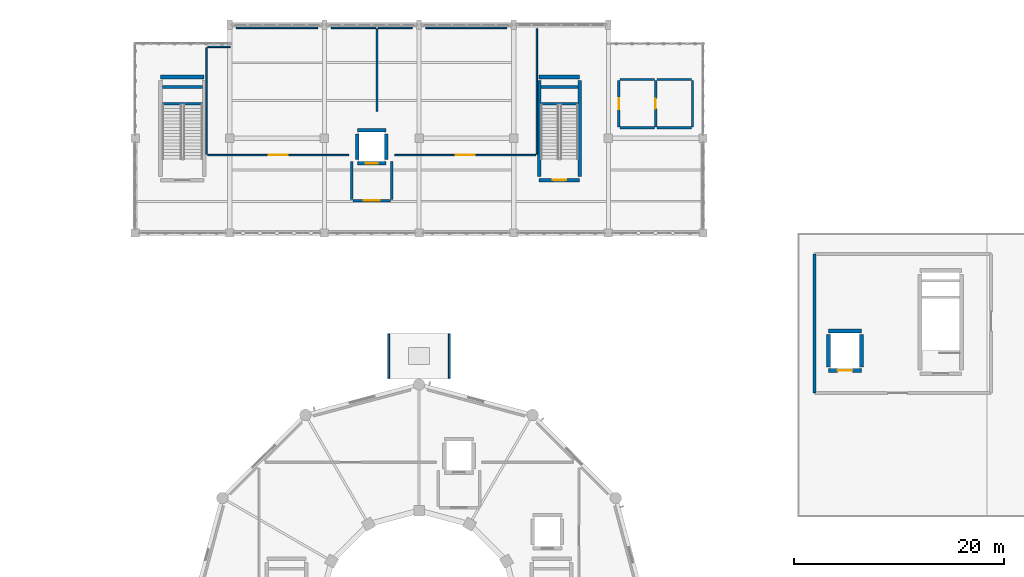
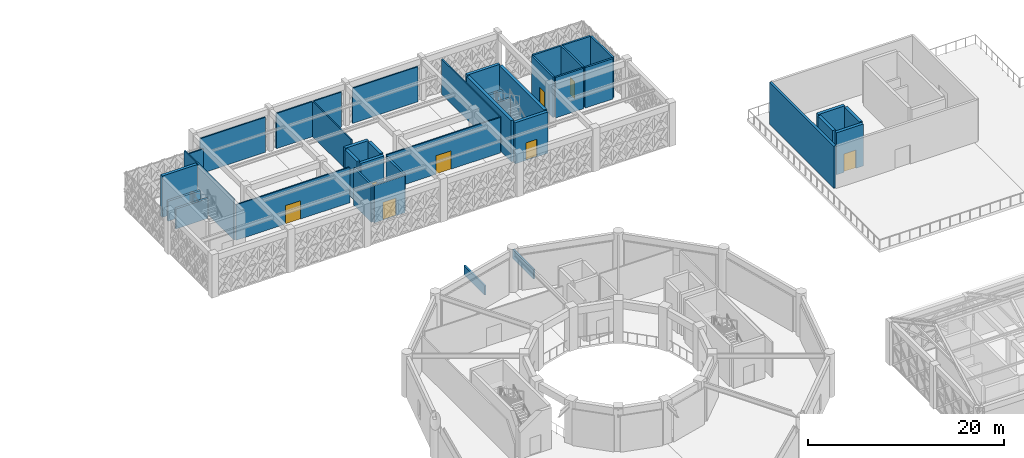
# One storey, part 73 of 86: 40 walls, 8 doors, 8 openings.
"""IFC4 building model written with IfcOpenShell, lengths in metres."""

from ifc_helpers import new_model, si_unit, direction, frame, frame_2d, origin, place, context, subcontext, project, spatial, rectangle, extrude, material, layer, layer_set, type_object, element, fill, save


model = new_model("IFC4")

# Units and contexts
model_context = context("Model", 3, precision=1e-05, world=origin(), true_north=direction((0.0, 1.0)))
body_context = subcontext(model_context, "Body", "Model", "MODEL_VIEW")
ifc_project = project(units=[si_unit("LENGTHUNIT", "METRE"), si_unit("AREAUNIT", "SQUARE_METRE"), si_unit("VOLUMEUNIT", "CUBIC_METRE"), si_unit("PLANEANGLEUNIT", "RADIAN"), si_unit("MASSUNIT", "GRAM", prefix="KILO")], contexts=[model_context])

# Site, building, storey
site_placement = place(None, origin())
site = spatial("IfcSite", under=ifc_project, at=site_placement, CompositionType="ELEMENT")
building_placement = place(site_placement, origin())
building = spatial("IfcBuilding", under=site, at=building_placement, Name="Haizhuo Lancet Aquarium", CompositionType="ELEMENT")
storey_placement = place(building_placement, frame((0.0, 0.0, 16.199951171875)))
storey = spatial("IfcBuildingStorey", under=building, at=storey_placement, Name="L03", CompositionType="ELEMENT", Elevation=16.199951171875)

# Walls
ifc_material_1 = material(Name="Shandong Grey Limestone Ashlar", Category="masonry")
ifc_layer_1 = layer(ifc_material_1, 0.280029296875)
ifc_layer_set_1 = layer_set([ifc_layer_1], Name="Shandong Grey Limestone Ashlar")
wall_type_1 = type_object("IfcWallType", Name="EWL-ASH-280", PredefinedType="SOLIDWALL", material=ifc_layer_set_1)
wall_1_placement = place(storey_placement, frame((37.60009765625, 20.800048828125, 0.0), z_axis=(0.0, 0.0, 1.0), x_axis=(0.0, 1.0, 0.0)))
element("IfcWall", 1, at=wall_1_placement, inside=storey, type_object=wall_type_1, Name="L03 V7 roof garden pavilion wall 4", PredefinedType="SOLIDWALL", context=body_context, shape_type="SweptSolid", body=[
    extrude(rectangle(XDim=13.199951171875, YDim=0.280029296875, at=frame_2d((6.60009765625, 0.0))), origin(), (0.0, 0.0, 1.0), 5.25),
])
ifc_layer_2 = layer(ifc_material_1, 0.18994140625)
ifc_layer_set_2 = layer_set([ifc_layer_2], Name="Shandong Grey Limestone Ashlar")
wall_type_2 = type_object("IfcWallType", Name="EWL-PAR-190", PredefinedType="PARAPET", material=ifc_layer_set_2)
for number, where, z_axis, x_axis, name in (
    (2, (-2.8798828125, 22.169921875, 0.0), (0.0, 0.0, 1.0), (0.0, 1.0, 0.0), "Sky-bridge roof parapet SB-03 W"),
    (3, (2.8798828125, 22.169921875, 0.0), (0.0, 0.0, 1.0), (0.0, 1.0, 0.0), "Sky-bridge roof parapet SB-03 E"),
):
    element("IfcWall", number, at=place(storey_placement, frame(where, z_axis=z_axis, x_axis=x_axis)), inside=storey, type_object=wall_type_2, Name=name, PredefinedType="PARAPET", context=body_context, shape_type="SweptSolid", body=[
        extrude(rectangle(XDim=4.260009765625, YDim=0.18994140625, at=frame_2d((2.1298828125, 0.0))), origin(), (0.0, 0.0, 1.0), 1.150146484375),
    ])

# Wall, opening, door
ifc_material_2 = material(Name="Concrete C40/50", Category="concrete")
ifc_layer_3 = layer(ifc_material_2, 0.239990234375)
ifc_layer_set_3 = layer_set([ifc_layer_3], Name="Concrete C40/50")
wall_type_3 = type_object("IfcWallType", Name="IWL-FIRE-240", PredefinedType="PARTITIONING", material=ifc_layer_set_3)
wall_2_placement = place(storey_placement, frame((-6.300048828125, 39.080078125, 0.0), z_axis=(0.0, 0.0, 1.0), x_axis=(1.0, 0.0, 0.0)))
wall_2 = element("IfcWall", 4, at=wall_2_placement, inside=storey, type_object=wall_type_3, Name="L03 LF-02 protected lift lobby firewall S", PredefinedType="PARTITIONING", context=body_context, shape_type="SweptSolid", body=[
    extrude(rectangle(XDim=3.60009765625, YDim=0.239990234375, at=frame_2d((1.800048828125, 0.0))), origin(), (0.0, 0.0, 1.0), 4.635009765625),
])
opening_1_placement = place(wall_2_placement, frame((1.050048828125, 0.0, 0.0)))
opening_1 = element("IfcOpeningElement", 5, at=opening_1_placement, cuts=wall_2, Name="Opening FD-03", PredefinedType="OPENING", context=body_context, shape_type="SweptSolid", body=[
    extrude(rectangle(XDim=1.5, YDim=2.199951171875, at=frame_2d((0.75, 1.10009765625))), frame((0.0, 0.1298828125, 0.0), z_axis=(0.0, -1.0, 0.0), x_axis=(1.0, 0.0, 0.0)), (0.0, 0.0, 1.0), 0.25999),
])
ifc_material_3 = material(Name="Steel S355", Category="steel")
door_type_1 = type_object("IfcDoorType", Name="IDR-FFL-1500x2200", OperationType="NOTDEFINED", PredefinedType="DOOR", material=ifc_material_3)
door_1_placement = place(opening_1_placement, origin())
door_1 = element("IfcDoor", 6, at=door_1_placement, inside=storey, type_object=door_type_1, Name="L03 LF-02 protected lift lobby door", OperationType="SINGLE_SWING_RIGHT", OverallHeight=2.199951171875, OverallWidth=1.5, PredefinedType="DOOR", context=body_context, shape_type="SweptSolid", body=[
    extrude(rectangle(XDim=1.5, YDim=2.199951171875, at=frame_2d((0.75, 1.10009765625))), frame((0.0, 0.02490234375, 0.0), z_axis=(0.0, -1.0, 0.0), x_axis=(1.0, 0.0, 0.0)), (0.0, 0.0, 1.0), 0.050048828125),
])
fill(opening_1, door_1)

# Walls
for number, where, z_axis, x_axis, name in (
    (7, (-6.419921875, 39.199951171875, 0.0), (0.0, 0.0, 1.0), (0.0, 1.0, 0.0), "L03 LF-02 protected lift lobby firewall W"),
    (8, (-2.580078125, 39.199951171875, 0.0), (0.0, 0.0, 1.0), (0.0, 1.0, 0.0), "L03 LF-02 protected lift lobby firewall E"),
):
    element("IfcWall", number, at=place(storey_placement, frame(where, z_axis=z_axis, x_axis=x_axis)), inside=storey, type_object=wall_type_3, Name=name, PredefinedType="PARTITIONING", context=body_context, shape_type="SweptSolid", body=[
        extrude(rectangle(XDim=3.60009765625, YDim=0.239990234375, at=frame_2d((1.800048828125, 0.0))), origin(), (0.0, 0.0, 1.0), 4.635009765625),
    ])

# Wall, opening, door
ifc_layer_4 = layer(ifc_material_2, 0.219970703125)
ifc_layer_set_4 = layer_set([ifc_layer_4], Name="Concrete C40/50")
wall_type_4 = type_object("IfcWallType", Name="IWL-PLB-220", PredefinedType="PLUMBINGWALL", material=ifc_layer_set_4)
wall_3_placement = place(storey_placement, frame((19.0, 50.5, 0.0), z_axis=(0.0, 0.0, 1.0), x_axis=(0.0, -1.0, 0.0)))
wall_3 = element("IfcWall", 9, at=wall_3_placement, inside=storey, type_object=wall_type_4, Name="L03 partition wall 443", PredefinedType="PLUMBINGWALL", context=body_context, shape_type="SweptSolid", body=[
    extrude(rectangle(XDim=4.39990234375, YDim=0.219970703125, at=frame_2d((2.199951171875, 0.0))), origin(), (0.0, 0.0, 1.0), 5.050048828125),
])
opening_2_placement = place(wall_3_placement, frame((1.675048828125, 0.0, 0.0)))
opening_2 = element("IfcOpeningElement", 10, at=opening_2_placement, cuts=wall_3, Name="Opening D-08", PredefinedType="OPENING", context=body_context, shape_type="SweptSolid", body=[
    extrude(rectangle(XDim=1.050048828125, YDim=2.14990234375, at=frame_2d((0.52490234375, 1.074951171875))), frame((0.0, 0.119873046875, 0.0), z_axis=(0.0, -1.0, 0.0), x_axis=(1.0, 0.0, 0.0)), (0.0, 0.0, 1.0), 0.239971),
])
ifc_material_4 = material(Name="Aluminium 6063-T6", Category="aluminium")
door_type_2 = type_object("IfcDoorType", Name="IDR-AWC-1050x2150", OperationType="NOTDEFINED", PredefinedType="DOOR", material=ifc_material_4)
door_2_placement = place(opening_2_placement, origin())
door_2 = element("IfcDoor", 11, at=door_2_placement, inside=storey, type_object=door_type_2, Name="L03 Third Floor Accessible WC door", OperationType="SINGLE_SWING_RIGHT", OverallHeight=2.14990234375, OverallWidth=1.050048828125, PredefinedType="DOOR", context=body_context, shape_type="SweptSolid", body=[
    extrude(rectangle(XDim=1.050048828125, YDim=2.14990234375, at=frame_2d((0.52490234375, 1.074951171875))), frame((0.0, 0.02490234375, 0.0), z_axis=(0.0, -1.0, 0.0), x_axis=(1.0, 0.0, 0.0)), (0.0, 0.0, 1.0), 0.050048828125),
])
fill(opening_2, door_2)

# Wall
wall_4_placement = place(storey_placement, frame((19.10009765625, 46.0, 0.0), z_axis=(0.0, 0.0, 1.0), x_axis=(1.0, 0.0, 0.0)))
element("IfcWall", 12, at=wall_4_placement, inside=storey, type_object=wall_type_4, Name="L03 partition wall 444", PredefinedType="PLUMBINGWALL", context=body_context, shape_type="SweptSolid", body=[
    extrude(rectangle(XDim=3.2998046875, YDim=0.219970703125, at=frame_2d((1.64990234375, 0.0))), origin(), (0.0, 0.0, 1.0), 5.050048828125),
])

# Wall, opening, door
wall_5_placement = place(storey_placement, frame((22.5, 46.10009765625, 0.0), z_axis=(0.0, 0.0, 1.0), x_axis=(0.0, 1.0, 0.0)))
wall_5 = element("IfcWall", 13, at=wall_5_placement, inside=storey, type_object=wall_type_4, Name="L03 partition wall 445", PredefinedType="PLUMBINGWALL", context=body_context, shape_type="SweptSolid", body=[
    extrude(rectangle(XDim=4.39990234375, YDim=0.219970703125, at=frame_2d((2.199951171875, 0.0))), origin(), (0.0, 0.0, 1.0), 5.050048828125),
])
opening_3_placement = place(wall_5_placement, frame((1.72509765625, 0.0, 0.0)))
opening_3 = element("IfcOpeningElement", 14, at=opening_3_placement, cuts=wall_5, Name="Opening D-07", PredefinedType="OPENING", context=body_context, shape_type="SweptSolid", body=[
    extrude(rectangle(XDim=0.949951171875, YDim=2.14990234375, at=frame_2d((0.47509765625, 1.074951171875))), frame((0.0, 0.119873046875, 0.0), z_axis=(0.0, -1.0, 0.0), x_axis=(1.0, 0.0, 0.0)), (0.0, 0.0, 1.0), 0.239971),
])
door_type_3 = type_object("IfcDoorType", Name="IDR-WC-950x2150", OperationType="NOTDEFINED", PredefinedType="DOOR", material=ifc_material_4)
door_3_placement = place(opening_3_placement, origin())
door_3 = element("IfcDoor", 15, at=door_3_placement, inside=storey, type_object=door_type_3, Name="L03 Third Floor Public WC door", OperationType="SINGLE_SWING_LEFT", OverallHeight=2.14990234375, OverallWidth=0.949951171875, PredefinedType="DOOR", context=body_context, shape_type="SweptSolid", body=[
    extrude(rectangle(XDim=0.949951171875, YDim=2.14990234375, at=frame_2d((0.47509765625, 1.074951171875))), frame((0.0, 0.02490234375, 0.0), z_axis=(0.0, -1.0, 0.0), x_axis=(1.0, 0.0, 0.0)), (0.0, 0.0, 1.0), 0.050048828125),
])
fill(opening_3, door_3)

# Walls
for number, where, z_axis, x_axis, name in (
    (16, (22.39990234375, 50.60009765625, 0.0), (0.0, 0.0, 1.0), (-1.0, 0.0, 0.0), "L03 partition wall 446"),
    (17, (22.60009765625, 46.0, 0.0), (0.0, 0.0, 1.0), (1.0, 0.0, 0.0), "L03 partition wall 447"),
):
    element("IfcWall", number, at=place(storey_placement, frame(where, z_axis=z_axis, x_axis=x_axis)), inside=storey, type_object=wall_type_4, Name=name, PredefinedType="PLUMBINGWALL", context=body_context, shape_type="SweptSolid", body=[
        extrude(rectangle(XDim=3.2998046875, YDim=0.219970703125, at=frame_2d((1.64990234375, 0.0))), origin(), (0.0, 0.0, 1.0), 5.050048828125),
    ])
wall_6_placement = place(storey_placement, frame((26.0, 46.10009765625, 0.0), z_axis=(0.0, 0.0, 1.0), x_axis=(0.0, 1.0, 0.0)))
element("IfcWall", 18, at=wall_6_placement, inside=storey, type_object=wall_type_4, Name="L03 partition wall 448", PredefinedType="PLUMBINGWALL", context=body_context, shape_type="SweptSolid", body=[
    extrude(rectangle(XDim=4.39990234375, YDim=0.219970703125, at=frame_2d((2.199951171875, 0.0))), origin(), (0.0, 0.0, 1.0), 5.050048828125),
])
wall_7_placement = place(storey_placement, frame((25.89990234375, 50.60009765625, 0.0), z_axis=(0.0, 0.0, 1.0), x_axis=(-1.0, 0.0, 0.0)))
element("IfcWall", 19, at=wall_7_placement, inside=storey, type_object=wall_type_4, Name="L03 partition wall 449", PredefinedType="PLUMBINGWALL", context=body_context, shape_type="SweptSolid", body=[
    extrude(rectangle(XDim=3.2998046875, YDim=0.219970703125, at=frame_2d((1.64990234375, 0.0))), origin(), (0.0, 0.0, 1.0), 5.050048828125),
])
ifc_material_5 = material(Name="Gypsum Fireboard Partition")
ifc_layer_5 = layer(ifc_material_5, 0.14990234375)
ifc_layer_set_5 = layer_set([ifc_layer_5], Name="Gypsum Fireboard Partition")
wall_type_5 = type_object("IfcWallType", Name="IWL-STD-150", PredefinedType="PARTITIONING", material=ifc_layer_set_5)
wall_8_placement = place(storey_placement, frame((-20.197998046875, 53.6201171875, 0.0), z_axis=(0.0, 0.0, 1.0), x_axis=(-0.000192994303, -0.999999981377, 0.0)))
element("IfcWall", 20, at=wall_8_placement, inside=storey, type_object=wall_type_5, Name="L03 partition wall 491", PredefinedType="PARTITIONING", context=body_context, shape_type="SweptSolid", body=[
    extrude(rectangle(XDim=10.1201171875, YDim=0.14990234375, at=frame_2d((5.06005859375, 0.0))), origin(), (0.0, 0.0, 1.0), 5.050048828125),
])

# Wall, opening, door
wall_9_placement = place(storey_placement, frame((-20.10009765625, 43.39990234375, 0.0), z_axis=(0.0, 0.0, 1.0), x_axis=(0.999999986606, 0.000163669095, 0.0)))
wall_9 = element("IfcWall", 21, at=wall_9_placement, inside=storey, type_object=wall_type_5, Name="L03 partition wall 492", PredefinedType="PARTITIONING", context=body_context, shape_type="SweptSolid", body=[
    extrude(rectangle(XDim=13.425048828125, YDim=0.14990234375, at=frame_2d((6.71240234375, 0.0))), origin(), (0.0, 0.0, 1.0), 4.43505859375),
])
opening_4_placement = place(wall_9_placement, frame((5.81298828125, 0.0, 0.0)))
opening_4 = element("IfcOpeningElement", 22, at=opening_4_placement, cuts=wall_9, Name="Opening D-02", PredefinedType="OPENING", context=body_context, shape_type="SweptSolid", body=[
    extrude(rectangle(XDim=1.800048828125, YDim=2.300048828125, at=frame_2d((0.89990234375, 1.14990234375))), frame((0.0, 0.0849609375, 0.0), z_axis=(0.0, -1.0, 0.0), x_axis=(1.0, 0.0, 0.0)), (0.0, 0.0, 1.0), 0.169902),
])
door_type_4 = type_object("IfcDoorType", Name="IDR-GAL-1800x2300", OperationType="NOTDEFINED", PredefinedType="DOOR", material=ifc_material_4)
door_4_placement = place(opening_4_placement, origin())
door_4 = element("IfcDoor", 23, at=door_4_placement, inside=storey, type_object=door_type_4, Name="L03 Abyssal Bioluminescent Exhibit Gallery door", OperationType="DOUBLE_DOOR_SINGLE_SWING", OverallHeight=2.300048828125, OverallWidth=1.800048828125, PredefinedType="DOOR", context=body_context, shape_type="SweptSolid", body=[
    extrude(rectangle(XDim=1.800048828125, YDim=2.300048828125, at=frame_2d((0.89990234375, 1.14990234375))), frame((0.0, 0.02490234375, 0.0), z_axis=(0.0, -1.0, 0.0), x_axis=(1.0, 0.0, 0.0)), (0.0, 0.0, 1.0), 0.050048828125),
])
fill(opening_4, door_4)

# Walls
wall_10_placement = place(storey_placement, frame((-4.0, 47.574951171875, 0.0), z_axis=(0.0, 0.0, 1.0), x_axis=(0.0, 1.0, 0.0)))
element("IfcWall", 24, at=wall_10_placement, inside=storey, type_object=wall_type_5, Name="L03 partition wall 493", PredefinedType="PARTITIONING", context=body_context, shape_type="SweptSolid", body=[
    extrude(rectangle(XDim=7.824951171875, YDim=0.14990234375, at=frame_2d((3.91259765625, 0.0))), origin(), (0.0, 0.0, 1.0), 4.385009765625),
])
wall_11_placement = place(storey_placement, frame((-4.10009765625, 55.5, 0.0), z_axis=(0.0, 0.0, 1.0), x_axis=(-1.0, 0.0, 0.0)))
element("IfcWall", 25, at=wall_11_placement, inside=storey, type_object=wall_type_5, Name="L03 partition wall 494", PredefinedType="PARTITIONING", context=body_context, shape_type="SweptSolid", body=[
    extrude(rectangle(XDim=4.25, YDim=0.14990234375, at=frame_2d((2.125, 0.0))), origin(), (0.0, 0.0, 1.0), 4.385009765625),
])
wall_12_placement = place(storey_placement, frame((-9.64990234375, 55.5, 0.0), z_axis=(0.0, 0.0, 1.0), x_axis=(-1.0, 0.0, 0.0)))
element("IfcWall", 26, at=wall_12_placement, inside=storey, type_object=wall_type_5, Name="L03 partition wall 495", PredefinedType="PARTITIONING", context=body_context, shape_type="SweptSolid", body=[
    extrude(rectangle(XDim=7.710205078125, YDim=0.14990234375, at=frame_2d((3.85498046875, 0.0))), origin(), (0.0, 0.0, 1.0), 4.385009765625),
])
wall_13_placement = place(storey_placement, frame((-17.972900390625, 53.700927734375, 0.0), z_axis=(0.0, 0.0, 1.0), x_axis=(-0.999999894621, -0.000459084079, 0.0)))
element("IfcWall", 27, at=wall_13_placement, inside=storey, type_object=wall_type_5, Name="L03 partition wall 496", PredefinedType="PARTITIONING", context=body_context, shape_type="SweptSolid", body=[
    extrude(rectangle(XDim=2.127197265625, YDim=0.14990234375, at=frame_2d((1.0634765625, 0.0))), origin(), (0.0, 0.0, 1.0), 4.43505859375),
])

# Wall, opening, door
wall_14_placement = place(storey_placement, frame((-2.324951171875, 43.402099609375, 0.0), z_axis=(0.0, 0.0, 1.0), x_axis=(0.999999986606, -0.000163669095, 0.0)))
wall_14 = element("IfcWall", 28, at=wall_14_placement, inside=storey, type_object=wall_type_5, Name="L03 partition wall 497", PredefinedType="PARTITIONING", context=body_context, shape_type="SweptSolid", body=[
    extrude(rectangle(XDim=13.425048828125, YDim=0.14990234375, at=frame_2d((6.71240234375, 0.0))), origin(), (0.0, 0.0, 1.0), 4.43505859375),
])
opening_5_placement = place(wall_14_placement, frame((5.81298828125, 0.0, 0.0)))
opening_5 = element("IfcOpeningElement", 29, at=opening_5_placement, cuts=wall_14, Name="Opening D-02", PredefinedType="OPENING", context=body_context, shape_type="SweptSolid", body=[
    extrude(rectangle(XDim=1.800048828125, YDim=2.300048828125, at=frame_2d((0.89990234375, 1.14990234375))), frame((0.0, 0.0849609375, 0.0), z_axis=(0.0, -1.0, 0.0), x_axis=(1.0, 0.0, 0.0)), (0.0, 0.0, 1.0), 0.169902),
])
door_5_placement = place(opening_5_placement, origin())
door_5 = element("IfcDoor", 30, at=door_5_placement, inside=storey, type_object=door_type_4, Name="L03 Coral Mesocosm Exhibit Gallery door", OperationType="DOUBLE_DOOR_SINGLE_SWING", OverallHeight=2.300048828125, OverallWidth=1.800048828125, PredefinedType="DOOR", context=body_context, shape_type="SweptSolid", body=[
    extrude(rectangle(XDim=1.800048828125, YDim=2.300048828125, at=frame_2d((0.89990234375, 1.14990234375))), frame((0.0, 0.02490234375, 0.0), z_axis=(0.0, -1.0, 0.0), x_axis=(1.0, 0.0, 0.0)), (0.0, 0.0, 1.0), 0.050048828125),
])
fill(opening_5, door_5)

# Walls
wall_15_placement = place(storey_placement, frame((11.199951171875, 43.5, 0.0), z_axis=(0.0, 0.0, 1.0), x_axis=(0.0, 1.0, 0.0)))
element("IfcWall", 31, at=wall_15_placement, inside=storey, type_object=wall_type_5, Name="L03 partition wall 498", PredefinedType="PARTITIONING", context=body_context, shape_type="SweptSolid", body=[
    extrude(rectangle(XDim=11.89990234375, YDim=0.14990234375, at=frame_2d((5.949951171875, 0.0))), origin(), (0.0, 0.0, 1.0), 4.385009765625),
])
wall_16_placement = place(storey_placement, frame((8.35009765625, 55.5, 0.0), z_axis=(0.0, 0.0, 1.0), x_axis=(-1.0, 0.0, 0.0)))
element("IfcWall", 32, at=wall_16_placement, inside=storey, type_object=wall_type_5, Name="L03 partition wall 499", PredefinedType="PARTITIONING", context=body_context, shape_type="SweptSolid", body=[
    extrude(rectangle(XDim=7.7001953125, YDim=0.14990234375, at=frame_2d((3.85009765625, 0.0))), origin(), (0.0, 0.0, 1.0), 4.385009765625),
])
wall_17_placement = place(storey_placement, frame((-0.639892578125, 55.5, 0.0), z_axis=(0.0, 0.0, 1.0), x_axis=(-1.0, 0.0, 0.0)))
element("IfcWall", 33, at=wall_17_placement, inside=storey, type_object=wall_type_5, Name="L03 partition wall 500", PredefinedType="PARTITIONING", context=body_context, shape_type="SweptSolid", body=[
    extrude(rectangle(XDim=3.260009765625, YDim=0.14990234375, at=frame_2d((1.6298828125, 0.0))), origin(), (0.0, 0.0, 1.0), 4.385009765625),
])
ifc_layer_6 = layer(ifc_material_2, 0.35009765625)
ifc_layer_set_6 = layer_set([ifc_layer_6], Name="Concrete C40/50")
wall_type_6 = type_object("IfcWallType", Name="WL-CORE-350", PredefinedType="SHEAR", material=ifc_layer_set_6)
for number, where, z_axis, x_axis, name in (
    (34, (-24.39990234375, 48.27490234375, 0.0), (0.0, 0.0, 1.0), (1.0, 0.0, 0.0), "L03 ST-07 landing support wall"),
    (35, (-24.39990234375, 49.875, 0.0), (0.0, 0.0, 1.0), (1.0, 0.0, 0.0), "L03 ST-07 far landing support wall"),
):
    element("IfcWall", number, at=place(storey_placement, frame(where, z_axis=z_axis, x_axis=x_axis)), inside=storey, type_object=wall_type_6, Name=name, PredefinedType="SHEAR", context=body_context, shape_type="SweptSolid", body=[
        extrude(rectangle(XDim=3.7998046875, YDim=0.25, at=frame_2d((1.89990234375, 0.0))), origin(), (0.0, 0.0, 1.0), 2.5),
    ])
wall_18_placement = place(storey_placement, frame((-24.574951171875, 50.824951171875, 0.0), z_axis=(0.0, 0.0, 1.0), x_axis=(1.0, 0.0, 0.0)))
element("IfcWall", 36, at=wall_18_placement, inside=storey, type_object=wall_type_6, Name="L03 ST-07 core shear wall N", PredefinedType="SHEAR", context=body_context, shape_type="SweptSolid", body=[
    extrude(rectangle(XDim=4.14990234375, YDim=0.35009765625, at=frame_2d((2.074951171875, 0.0))), origin(), (0.0, 0.0, 1.0), 5.150146484375),
])
for number, where, z_axis, x_axis, name in (
    (37, (11.60009765625, 48.27490234375, 0.0), (0.0, 0.0, 1.0), (1.0, 0.0, 0.0), "L03 ST-08 landing support wall"),
    (38, (11.60009765625, 49.875, 0.0), (0.0, 0.0, 1.0), (1.0, 0.0, 0.0), "L03 ST-08 far landing support wall"),
):
    element("IfcWall", number, at=place(storey_placement, frame(where, z_axis=z_axis, x_axis=x_axis)), inside=storey, type_object=wall_type_6, Name=name, PredefinedType="SHEAR", context=body_context, shape_type="SweptSolid", body=[
        extrude(rectangle(XDim=3.5, YDim=0.25, at=frame_2d((1.75, 0.0))), origin(), (0.0, 0.0, 1.0), 2.5),
    ])

# Wall, opening, door
wall_19_placement = place(storey_placement, frame((11.425048828125, 41.02490234375, 0.0), z_axis=(0.0, 0.0, 1.0), x_axis=(1.0, 0.0, 0.0)))
wall_19 = element("IfcWall", 39, at=wall_19_placement, inside=storey, type_object=wall_type_6, Name="L03 ST-08 core shear wall S", PredefinedType="SHEAR", context=body_context, shape_type="SweptSolid", body=[
    extrude(rectangle(XDim=3.849853515625, YDim=0.35009765625, at=frame_2d((1.9248046875, 0.0))), origin(), (0.0, 0.0, 1.0), 5.150146484375),
])
opening_6_placement = place(wall_19_placement, frame((1.27490234375, 0.0, 0.0)))
opening_6 = element("IfcOpeningElement", 40, at=opening_6_placement, cuts=wall_19, Name="Opening FD-02", PredefinedType="OPENING", context=body_context, shape_type="SweptSolid", body=[
    extrude(rectangle(XDim=1.300048828125, YDim=2.199951171875, at=frame_2d((0.64990234375, 1.10009765625))), frame((0.0, 0.18505859375, 0.0), z_axis=(0.0, -1.0, 0.0), x_axis=(1.0, 0.0, 0.0)), (0.0, 0.0, 1.0), 0.370098),
])
door_type_5 = type_object("IfcDoorType", Name="IDR-STAIR-1300x2200", OperationType="NOTDEFINED", PredefinedType="DOOR", material=ifc_material_3)
door_6_placement = place(opening_6_placement, origin())
door_6 = element("IfcDoor", 41, at=door_6_placement, inside=storey, type_object=door_type_5, Name="L03 ST-08 stairwell fire door", OperationType="SINGLE_SWING_LEFT", OverallHeight=2.199951171875, OverallWidth=1.300048828125, PredefinedType="DOOR", context=body_context, shape_type="SweptSolid", body=[
    extrude(rectangle(XDim=1.300048828125, YDim=2.199951171875, at=frame_2d((0.64990234375, 1.10009765625))), frame((0.0, 0.02490234375, 0.0), z_axis=(0.0, -1.0, 0.0), x_axis=(1.0, 0.0, 0.0)), (0.0, 0.0, 1.0), 0.050048828125),
])
fill(opening_6, door_6)

# Walls
wall_20_placement = place(storey_placement, frame((11.425048828125, 50.824951171875, 0.0), z_axis=(0.0, 0.0, 1.0), x_axis=(1.0, 0.0, 0.0)))
element("IfcWall", 42, at=wall_20_placement, inside=storey, type_object=wall_type_6, Name="L03 ST-08 core shear wall N", PredefinedType="SHEAR", context=body_context, shape_type="SweptSolid", body=[
    extrude(rectangle(XDim=3.849853515625, YDim=0.35009765625, at=frame_2d((1.9248046875, 0.0))), origin(), (0.0, 0.0, 1.0), 5.150146484375),
])
for number, where, z_axis, x_axis, name in (
    (43, (11.425048828125, 41.375, 0.0), (0.0, 0.0, 1.0), (0.0, 1.0, 0.0), "L03 ST-08 core shear wall W"),
    (44, (15.27490234375, 41.375, 0.0), (0.0, 0.0, 1.0), (0.0, 1.0, 0.0), "L03 ST-08 core shear wall E"),
):
    element("IfcWall", number, at=place(storey_placement, frame(where, z_axis=z_axis, x_axis=x_axis)), inside=storey, type_object=wall_type_6, Name=name, PredefinedType="SHEAR", context=body_context, shape_type="SweptSolid", body=[
        extrude(rectangle(XDim=9.10009765625, YDim=0.35009765625, at=frame_2d((4.550048828125, 0.0))), origin(), (0.0, 0.0, 1.0), 5.150146484375),
    ])

# Wall, opening, door
wall_21_placement = place(storey_placement, frame((-5.875, 42.625, 0.0), z_axis=(0.0, 0.0, 1.0), x_axis=(1.0, 0.0, 0.0)))
wall_21 = element("IfcWall", 45, at=wall_21_placement, inside=storey, type_object=wall_type_6, Name="L03 LF-02 lift shaft wall -Y", PredefinedType="SHEAR", context=body_context, shape_type="SweptSolid", body=[
    extrude(rectangle(XDim=2.75, YDim=0.35009765625, at=frame_2d((1.375, 0.0))), origin(), (0.0, 0.0, 1.0), 5.150146484375),
])
opening_7_placement = place(wall_21_placement, frame((0.824951171875, 0.0, 0.0)))
opening_7 = element("IfcOpeningElement", 46, at=opening_7_placement, cuts=wall_21, Name="Opening LD-01", PredefinedType="OPENING", context=body_context, shape_type="SweptSolid", body=[
    extrude(rectangle(XDim=1.10009765625, YDim=2.199951171875, at=frame_2d((0.550048828125, 1.10009765625))), frame((0.0, 0.18505859375, 0.0), z_axis=(0.0, -1.0, 0.0), x_axis=(1.0, 0.0, 0.0)), (0.0, 0.0, 1.0), 0.370098),
])
door_type_6 = type_object("IfcDoorType", Name="IDR-LIFT-1100x2200", OperationType="NOTDEFINED", PredefinedType="DOOR", material=ifc_material_3)
door_7_placement = place(opening_7_placement, origin())
door_7 = element("IfcDoor", 47, at=door_7_placement, inside=storey, type_object=door_type_6, Name="L03 LF-02 sliding lift landing door", OperationType="DOUBLE_DOOR_SLIDING", OverallHeight=2.199951171875, OverallWidth=1.10009765625, PredefinedType="DOOR", context=body_context, shape_type="SweptSolid", body=[
    extrude(rectangle(XDim=1.10009765625, YDim=2.199951171875, at=frame_2d((0.550048828125, 1.10009765625))), frame((0.0, 0.02490234375, 0.0), z_axis=(0.0, -1.0, 0.0), x_axis=(1.0, 0.0, 0.0)), (0.0, 0.0, 1.0), 0.050048828125),
])
fill(opening_7, door_7)

# Walls
wall_22_placement = place(storey_placement, frame((-3.125, 45.77490234375, 0.0), z_axis=(0.0, 0.0, 1.0), x_axis=(-1.0, 0.0, 0.0)))
element("IfcWall", 48, at=wall_22_placement, inside=storey, type_object=wall_type_6, Name="L03 LF-02 lift shaft wall +Y", PredefinedType="SHEAR", context=body_context, shape_type="SweptSolid", body=[
    extrude(rectangle(XDim=2.75, YDim=0.35009765625, at=frame_2d((1.375, 0.0))), origin(), (0.0, 0.0, 1.0), 5.150146484375),
])
for number, where, z_axis, x_axis, name in (
    (49, (-5.875, 42.97509765625, 0.0), (0.0, 0.0, 1.0), (0.0, 1.0, 0.0), "L03 LF-02 lift shaft wall -X"),
    (50, (-3.125, 42.97509765625, 0.0), (0.0, 0.0, 1.0), (0.0, 1.0, 0.0), "L03 LF-02 lift shaft wall +X"),
):
    element("IfcWall", number, at=place(storey_placement, frame(where, z_axis=z_axis, x_axis=x_axis)), inside=storey, type_object=wall_type_6, Name=name, PredefinedType="SHEAR", context=body_context, shape_type="SweptSolid", body=[
        extrude(rectangle(XDim=2.449951171875, YDim=0.35009765625, at=frame_2d((1.22509765625, 0.0))), origin(), (0.0, 0.0, 1.0), 5.150146484375),
    ])

# Wall, opening, door
wall_23_placement = place(storey_placement, frame((38.925048828125, 22.925048828125, 0.0), z_axis=(0.0, 0.0, 1.0), x_axis=(1.0, 0.0, 0.0)))
wall_23 = element("IfcWall", 51, at=wall_23_placement, inside=storey, type_object=wall_type_6, Name="L03 LG-01 lift shaft wall -Y", PredefinedType="SHEAR", context=body_context, shape_type="SweptSolid", body=[
    extrude(rectangle(XDim=3.14990234375, YDim=0.35009765625, at=frame_2d((1.574951171875, 0.0))), origin(), (0.0, 0.0, 1.0), 5.25),
])
opening_8_placement = place(wall_23_placement, frame((0.875, 0.0, 0.0)))
opening_8 = element("IfcOpeningElement", 52, at=opening_8_placement, cuts=wall_23, Name="Opening LD-02", PredefinedType="OPENING", context=body_context, shape_type="SweptSolid", body=[
    extrude(rectangle(XDim=1.39990234375, YDim=2.300048828125, at=frame_2d((0.699951171875, 1.14990234375))), frame((0.0, 0.18505859375, 0.0), z_axis=(0.0, -1.0, 0.0), x_axis=(1.0, 0.0, 0.0)), (0.0, 0.0, 1.0), 0.370098),
])
door_type_7 = type_object("IfcDoorType", Name="IDR-LIFT-1400x2300", OperationType="NOTDEFINED", PredefinedType="DOOR", material=ifc_material_3)
door_8_placement = place(opening_8_placement, origin())
door_8 = element("IfcDoor", 53, at=door_8_placement, inside=storey, type_object=door_type_7, Name="L03 LG-01 sliding lift landing door", OperationType="DOUBLE_DOOR_SLIDING", OverallHeight=2.300048828125, OverallWidth=1.39990234375, PredefinedType="DOOR", context=body_context, shape_type="SweptSolid", body=[
    extrude(rectangle(XDim=1.39990234375, YDim=2.300048828125, at=frame_2d((0.699951171875, 1.14990234375))), frame((0.0, 0.02490234375, 0.0), z_axis=(0.0, -1.0, 0.0), x_axis=(1.0, 0.0, 0.0)), (0.0, 0.0, 1.0), 0.050048828125),
])
fill(opening_8, door_8)

# Walls
wall_24_placement = place(storey_placement, frame((42.074951171875, 26.675048828125, 0.0), z_axis=(0.0, 0.0, 1.0), x_axis=(-1.0, 0.0, 0.0)))
element("IfcWall", 54, at=wall_24_placement, inside=storey, type_object=wall_type_6, Name="L03 LG-01 lift shaft wall +Y", PredefinedType="SHEAR", context=body_context, shape_type="SweptSolid", body=[
    extrude(rectangle(XDim=3.14990234375, YDim=0.35009765625, at=frame_2d((1.574951171875, 0.0))), origin(), (0.0, 0.0, 1.0), 5.25),
])
for number, where, z_axis, x_axis, name in (
    (55, (38.925048828125, 23.27490234375, 0.0), (0.0, 0.0, 1.0), (0.0, 1.0, 0.0), "L03 LG-01 lift shaft wall -X"),
    (56, (42.074951171875, 23.27490234375, 0.0), (0.0, 0.0, 1.0), (0.0, 1.0, 0.0), "L03 LG-01 lift shaft wall +X"),
):
    element("IfcWall", number, at=place(storey_placement, frame(where, z_axis=z_axis, x_axis=x_axis)), inside=storey, type_object=wall_type_6, Name=name, PredefinedType="SHEAR", context=body_context, shape_type="SweptSolid", body=[
        extrude(rectangle(XDim=3.050048828125, YDim=0.35009765625, at=frame_2d((1.52490234375, 0.0))), origin(), (0.0, 0.0, 1.0), 5.25),
    ])

save(model, "model.ifc")
